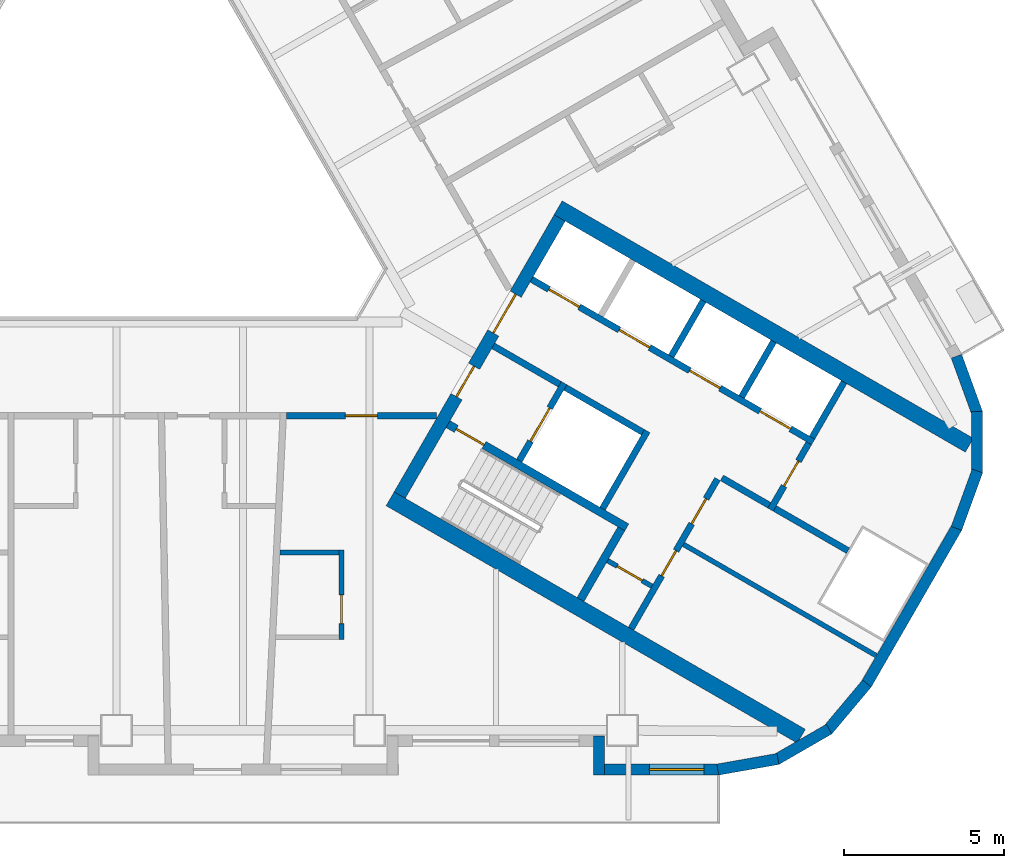
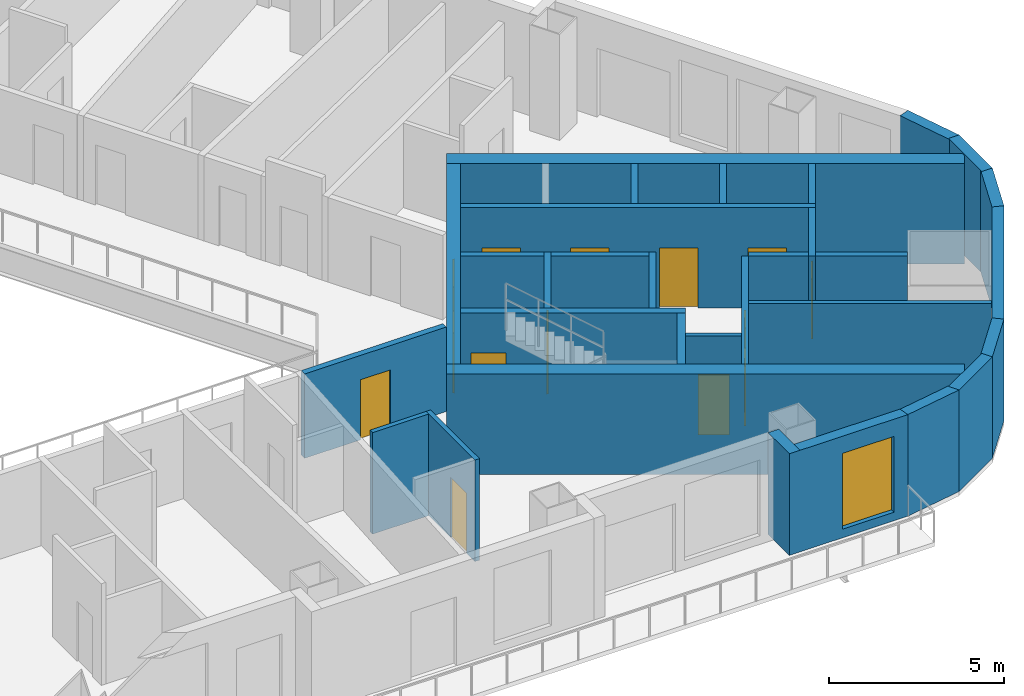
# One storey, part 5 of 14: 31 walls, 14 doors, 1 window, 15 openings.
"""IFC4 building model written with IfcOpenShell, lengths in metres."""

import ifcopenshell
import ifcopenshell.guid

model = None  # the IFC model being written
_history = None  # IfcOwnerHistory: only IFC2X3 demands one
_inside = {}  # id of a spatial element -> (the spatial element, [elements in it])
_under = {}  # id of a project, library or spatial element -> (it, [spatial elements below it])
_declared = {}  # id of a project -> (the project, [libraries it declares])
_typed = {}  # id of a type object -> (the type object, [elements of that type])
_made_of = {}  # id of a material, layer set ... -> (it, [elements and type objects made of it])


def new_model(schema):
    """Start an empty IFC model of exactly this schema.

    Asked for "IFC4X3", IfcOpenShell would pick the latest addendum, in which some entities
    have other attributes; the version numbers below select the first issue.
    IFC2X3 requires an IfcOwnerHistory on every rooted entity: one is made here for all.
    """
    global model, _history
    if schema == "IFC4X3":
        model = ifcopenshell.file(schema_version=(4, 3, 0, 0))
    else:
        model = ifcopenshell.file(schema=schema)
    _inside.clear()
    _under.clear()
    _declared.clear()
    _typed.clear()
    _made_of.clear()
    _history = None
    if model.schema == "IFC2X3":
        org = make("IfcOrganization", Name="unknown")
        user = make(
            "IfcPersonAndOrganization",
            ThePerson=make("IfcPerson", FamilyName="unknown"),
            TheOrganization=org,
        )
        app = make(
            "IfcApplication",
            ApplicationDeveloper=org,
            Version="unknown",
            ApplicationFullName="unknown",
            ApplicationIdentifier="unknown",
        )
        _history = make(
            "IfcOwnerHistory",
            OwningUser=user,
            OwningApplication=app,
            ChangeAction="ADDED",
            CreationDate=0,
        )
    return model


def make(cls, **values):
    """One entity of the class cls with the attributes given. An attribute that is None is left unset."""
    return model.create_entity(
        cls, **{name: value for name, value in values.items() if value is not None}
    )


def rooted(cls, **values):
    """An entity with a GlobalId (a new one), such as an element, a storey or a relation."""
    return make(cls, GlobalId=ifcopenshell.guid.new(), OwnerHistory=_history, **values)


def si_unit(unit_type, name, prefix=None):
    """IfcSIUnit, for example si_unit("LENGTHUNIT", "METRE", prefix="MILLI")."""
    return make("IfcSIUnit", UnitType=unit_type, Prefix=prefix, Name=name)


def assignment(units):
    """IfcUnitAssignment: the units of a project."""
    return None if units is None else make("IfcUnitAssignment", Units=units)


def point(xyz):
    """IfcCartesianPoint."""
    return None if xyz is None else make("IfcCartesianPoint", Coordinates=xyz)


def direction(xyz):
    """IfcDirection."""
    return None if xyz is None else make("IfcDirection", DirectionRatios=xyz)


def frame(location, z_axis=None, x_axis=None):
    """IfcAxis2Placement3D, a coordinate frame: its origin and axes. An axis left out is left unset."""
    return make(
        "IfcAxis2Placement3D",
        Location=point(location),
        Axis=direction(z_axis),
        RefDirection=direction(x_axis),
    )


def frame_2d(location, x_axis=None):
    """IfcAxis2Placement2D, a coordinate frame in the plane: its origin and x axis."""
    return make(
        "IfcAxis2Placement2D", Location=point(location), RefDirection=direction(x_axis)
    )


def origin():
    """The frame at (0, 0, 0) with its axes left unset."""
    return frame((0.0, 0.0, 0.0))


def place(relative_to, where):
    """IfcLocalPlacement: puts the frame where relative to a parent placement (None: the world)."""
    return make(
        "IfcLocalPlacement", PlacementRelTo=relative_to, RelativePlacement=where
    )


def context(
    kind, dimensions, precision=None, world=None, true_north=None, identifier=None
):
    """IfcGeometricRepresentationContext, for example the 3D "Model" context."""
    return make(
        "IfcGeometricRepresentationContext",
        ContextIdentifier=identifier,
        ContextType=kind,
        CoordinateSpaceDimension=dimensions,
        Precision=precision,
        WorldCoordinateSystem=world,
        TrueNorth=true_north,
    )


def subcontext(parent, identifier, kind, view, scale=None):
    """IfcGeometricRepresentationSubContext, for example "Body" below "Model"."""
    return make(
        "IfcGeometricRepresentationSubContext",
        ContextIdentifier=identifier,
        ContextType=kind,
        ParentContext=parent,
        TargetScale=scale,
        TargetView=view,
    )


def project(units=None, contexts=None):
    """IfcProject with its units and contexts."""
    return rooted(
        "IfcProject",
        Name="project",
        RepresentationContexts=contexts,
        UnitsInContext=assignment(units),
    )


def spatial(cls, under=None, at=None, **own):
    """A site, building, storey or space (cls), placed at a placement, below another one or the project."""
    s = rooted(cls, ObjectPlacement=at, **own)
    if under is not None:
        _under.setdefault(under.id(), (under, []))[1].append(s)
    return s


def profile(cls, at=None, kind="AREA", **sizes):
    """A parametric profile (cls). Its sizes go by their IFC names, for example OverallWidth=200.0."""
    return make(cls, ProfileType=kind, Position=at, **sizes)


def rectangle(**sizes):
    """IfcRectangleProfileDef."""
    return profile("IfcRectangleProfileDef", **sizes)


def extrude(swept, where, along, depth):
    """IfcExtrudedAreaSolid: the profile swept, set in the frame where, extruded along a direction by depth."""
    return make(
        "IfcExtrudedAreaSolid",
        SweptArea=swept,
        Position=where,
        ExtrudedDirection=direction(along),
        Depth=depth,
    )


def shape(context_of_items, identifier, shape_type, items):
    """IfcShapeRepresentation: the items that make up one representation, for example the "Body"."""
    return make(
        "IfcShapeRepresentation",
        ContextOfItems=context_of_items,
        RepresentationIdentifier=identifier,
        RepresentationType=shape_type,
        Items=items,
    )


def material(Name=None, Category=None):
    """IfcMaterial."""
    return make("IfcMaterial", Name=Name, Category=Category)


def layer(
    of_material, thickness, ventilated=None, Name=None, Category=None, Priority=None
):
    """IfcMaterialLayer: one layer of a wall or slab, of a material (None: an air gap)."""
    return make(
        "IfcMaterialLayer",
        Material=of_material,
        LayerThickness=thickness,
        IsVentilated=ventilated,
        Name=Name,
        Category=Category,
        Priority=Priority,
    )


def layer_set(layers, Name=None):
    """IfcMaterialLayerSet."""
    return make("IfcMaterialLayerSet", MaterialLayers=layers, LayerSetName=Name)


def made_of(thing, what):
    """Note that an element or type object is made of a material, layer set ...; save() writes the relation."""
    if what is not None:
        _made_of.setdefault(what.id(), (what, []))[1].append(thing)
    return thing


def type_object(cls, material=None, **own):
    """A type object (cls), such as IfcWallType, which elements share."""
    return made_of(rooted(cls, **own), material)


def element(
    cls,
    number,
    at=None,
    inside=None,
    cuts=None,
    type_object=None,
    material=None,
    context=None,
    identifier="Body",
    shape_type=None,
    held_by="IfcProductDefinitionShape",
    body=None,
    shapes=None,
    **own,
):
    """One element of the class cls, such as IfcWall. Its Tag is "e" and its number.

    at: its placement. inside: the storey or other place that contains it. cuts: it is an
    opening in that element (IfcRelVoidsElement). A single representation is given by context,
    identifier, shape_type and body (its items); several are given by shapes. held_by: the class
    of the entity that holds the representations. save() writes the other relations.
    """
    e = rooted(cls, Tag="e%d" % number, ObjectPlacement=at, **own)
    if body is not None:
        shapes = [shape(context, identifier, shape_type, body)]
    if shapes is not None:
        e.Representation = make(held_by, Representations=shapes)
    if inside is not None:
        _inside.setdefault(inside.id(), (inside, []))[1].append(e)
    if cuts is not None:
        rooted(
            "IfcRelVoidsElement", RelatingBuildingElement=cuts, RelatedOpeningElement=e
        )
    if type_object is not None:
        _typed.setdefault(type_object.id(), (type_object, []))[1].append(e)
    return made_of(e, material)


def fill(opening, filler):
    """IfcRelFillsElement: the door or window that sits in an opening."""
    return rooted(
        "IfcRelFillsElement",
        RelatingOpeningElement=opening,
        RelatedBuildingElement=filler,
    )


def aggregate(whole, parts):
    """IfcRelAggregates: a whole, such as a stair, and the parts it consists of."""
    return rooted("IfcRelAggregates", RelatingObject=whole, RelatedObjects=parts)


def save(model, path):
    """Write the relations noted so far, then the file.

    IfcRelAggregates (storeys below a building ...), IfcRelContainedInSpatialStructure (elements
    in a storey), IfcRelDefinesByType, IfcRelAssociatesMaterial and IfcRelDeclares: one each for
    every whole, place, type object, material and project.
    """
    for whole, parts in _under.values():
        aggregate(whole, parts)
    for where, things in _inside.values():
        rooted(
            "IfcRelContainedInSpatialStructure",
            RelatedElements=things,
            RelatingStructure=where,
        )
    for kind, things in _typed.values():
        rooted("IfcRelDefinesByType", RelatedObjects=things, RelatingType=kind)
    for what, things in _made_of.values():
        rooted("IfcRelAssociatesMaterial", RelatedObjects=things, RelatingMaterial=what)
    for by, libraries in _declared.values():
        rooted("IfcRelDeclares", RelatingContext=by, RelatedDefinitions=libraries)
    model.write(path)


model = new_model("IFC4")

# Units and contexts
model_context = context("Model", 3, precision=1e-05, world=origin(), true_north=direction((0.0, 1.0)))
body_context = subcontext(model_context, "Body", "Model", "MODEL_VIEW")
ifc_project = project(units=[si_unit("LENGTHUNIT", "METRE"), si_unit("AREAUNIT", "SQUARE_METRE"), si_unit("VOLUMEUNIT", "CUBIC_METRE"), si_unit("PLANEANGLEUNIT", "RADIAN"), si_unit("MASSUNIT", "GRAM", prefix="KILO")], contexts=[model_context])

# Site, building, storey
site_placement = place(None, origin())
site = spatial("IfcSite", under=ifc_project, at=site_placement, CompositionType="ELEMENT")
building_placement = place(site_placement, origin())
building = spatial("IfcBuilding", under=site, at=building_placement, Name="Apuvela Tower Hotel", CompositionType="ELEMENT")
storey_placement = place(building_placement, frame((0.0, 0.0, 50.199951171875)))
storey = spatial("IfcBuildingStorey", under=building, at=storey_placement, Name="L09", CompositionType="ELEMENT", Elevation=50.199951171875)

# Wall, openings, doors
ifc_material_1 = material(Name="Concrete C50/60", Category="concrete")
ifc_layer_1 = layer(ifc_material_1, 0.39990234375)
ifc_layer_set_1 = layer_set([ifc_layer_1], Name="COR-WALL-CORE-400")
wall_type_1 = type_object("IfcWallType", Name="COR-WALL-CORE-400", PredefinedType="SHEAR", material=ifc_layer_set_1)
wall_1_placement = place(storey_placement, frame((8.844970703125, -10.880126953125, 0.0), z_axis=(0.0, 0.0, 1.0), x_axis=(0.500004234368, 0.866022959057, 0.0)))
wall_1 = element("IfcWall", 1, at=wall_1_placement, inside=storey, type_object=wall_type_1, Name="Core wall SE", PredefinedType="SHEAR", context=body_context, shape_type="SweptSolid", body=[
    extrude(rectangle(XDim=10.0, YDim=0.39990234375, at=frame_2d((5.0, 0.0))), origin(), (0.0, 0.0, 1.0), 3.5),
])
opening_1_placement = place(wall_1_placement, frame((3.550048828125, 0.0, 0.0)))
opening_1 = element("IfcOpeningElement", 2, at=opening_1_placement, cuts=wall_1, Name="Opening E-FD", PredefinedType="OPENING", context=body_context, shape_type="SweptSolid", body=[
    extrude(rectangle(XDim=1.10009765625, YDim=2.10009765625, at=frame_2d((0.550048828125, 1.050048828125))), frame((0.0, 0.2099609375, 0.0), z_axis=(0.0, -1.0, 0.0), x_axis=(1.0, 0.0, 0.0)), (0.0, 0.0, 1.0), 0.419921875),
])
opening_2_placement = place(wall_1_placement, frame((5.85009765625, 0.0, 0.0)))
opening_2 = element("IfcOpeningElement", 3, at=opening_2_placement, cuts=wall_1, Name="Opening E-GD", PredefinedType="OPENING", context=body_context, shape_type="SweptSolid", body=[
    extrude(rectangle(XDim=1.39990234375, YDim=2.10009765625, at=frame_2d((0.699951171875, 1.050048828125))), frame((0.0, 0.2099609375, 0.0), z_axis=(0.0, -1.0, 0.0), x_axis=(1.0, 0.0, 0.0)), (0.0, 0.0, 1.0), 0.419921875),
])
ifc_material_2 = material(Name="Steel fire door, powder coated", Category="steel")
door_type_1 = type_object("IfcDoorType", Name="COR-FD-1100", OperationType="NOTDEFINED", PredefinedType="DOOR", material=ifc_material_2)
door_1_placement = place(opening_1_placement, frame((1.10009765625, 0.0, 0.0), z_axis=(0.0, 0.0, 1.0), x_axis=(-1.0, 0.0, 0.0)))
door_1 = element("IfcDoor", 4, at=door_1_placement, inside=storey, type_object=door_type_1, Name="Firefighting lobby door E-FD", OperationType="SINGLE_SWING_LEFT", OverallHeight=2.10009765625, OverallWidth=1.10009765625, PredefinedType="DOOR", context=body_context, shape_type="SweptSolid", body=[
    extrude(rectangle(XDim=1.10009765625, YDim=2.10009765625, at=frame_2d((0.550048828125, 1.050048828125))), frame((0.0, 0.02490234375, 0.0), z_axis=(0.0, -1.0, 0.0), x_axis=(1.0, 0.0, 0.0)), (0.0, 0.0, 1.0), 0.050048828125),
])
fill(opening_1, door_1)
ifc_material_3 = material(Name="Glazed steel fire door", Category="steel")
door_type_2 = type_object("IfcDoorType", Name="COR-GD-1400", OperationType="DOUBLE_DOOR_SINGLE_SWING", PredefinedType="DOOR", material=ifc_material_3)
door_2_placement = place(opening_2_placement, frame((1.39990234375, 0.0, 0.0), z_axis=(0.0, 0.0, 1.0), x_axis=(-1.0, 0.0, 0.0)))
door_2 = element("IfcDoor", 5, at=door_2_placement, inside=storey, type_object=door_type_2, Name="Lift lobby door E-GD", OperationType="DOUBLE_DOOR_SINGLE_SWING", OverallHeight=2.10009765625, OverallWidth=1.39990234375, PredefinedType="DOOR", context=body_context, shape_type="SweptSolid", body=[
    extrude(rectangle(XDim=1.39990234375, YDim=2.10009765625, at=frame_2d((0.699951171875, 1.050048828125))), frame((0.0, 0.02490234375, 0.0), z_axis=(0.0, -1.0, 0.0), x_axis=(1.0, 0.0, 0.0)), (0.0, 0.0, 1.0), 0.050048828125),
])
fill(opening_2, door_2)

# Walls
ifc_layer_2 = layer(ifc_material_1, 0.5)
ifc_layer_set_2 = layer_set([ifc_layer_2], Name="COR-WALL-CORE-500")
wall_type_2 = type_object("IfcWallType", Name="COR-WALL-CORE-500", PredefinedType="SHEAR", material=ifc_layer_set_2)
for number, where, z_axis, x_axis, name in (
    (6, (8.546630859375, -10.99658203125, 0.0), (0.0, 0.0, 1.0), (0.866025009528, -0.500000682871, 0.0), "Core wall SE"),
    (7, (13.796630859375, -1.9033203125, 0.0), (0.0, 0.0, 1.0), (0.866025009528, -0.500000682871, 0.0), "Core wall SE"),
):
    element("IfcWall", number, at=place(storey_placement, frame(where, z_axis=z_axis, x_axis=x_axis)), inside=storey, type_object=wall_type_2, Name=name, PredefinedType="SHEAR", context=body_context, shape_type="SweptSolid", body=[
        extrude(rectangle(XDim=14.8369140625, YDim=0.5, at=frame_2d((7.41845703125, 0.0))), origin(), (0.0, 0.0, 1.0), 3.5),
    ])

# Wall, opening, door
ifc_material_4 = material(Name="Blockwork 150 mm plastered", Category="masonry")
ifc_layer_3 = layer(ifc_material_4, 0.14990234375)
ifc_layer_set_3 = layer_set([ifc_layer_3], Name="COR-WALL-PART-150")
wall_type_3 = type_object("IfcWallType", Name="COR-WALL-PART-150", PredefinedType="PARTITIONING", material=ifc_layer_set_3)
wall_2_placement = place(storey_placement, frame((15.341552734375, -12.927734375, 0.0), z_axis=(0.0, 0.0, 1.0), x_axis=(0.865989903783, -0.500061482766, 0.0)))
wall_2 = element("IfcWall", 8, at=wall_2_placement, inside=storey, type_object=wall_type_3, Name="Partition SE", PredefinedType="PARTITIONING", context=body_context, shape_type="SweptSolid", body=[
    extrude(rectangle(XDim=1.599853515625, YDim=0.14990234375, at=frame_2d((0.7998046875, 0.0))), origin(), (0.0, 0.0, 1.0), 3.5),
])
opening_3_placement = place(wall_2_placement, frame((0.35009765625, 0.0, 0.0)))
opening_3 = element("IfcOpeningElement", 9, at=opening_3_placement, cuts=wall_2, Name="Opening E-RD", PredefinedType="OPENING", context=body_context, shape_type="SweptSolid", body=[
    extrude(rectangle(XDim=0.89990234375, YDim=2.10009765625, at=frame_2d((0.449951171875, 1.050048828125))), frame((0.0, 0.0849609375, 0.0), z_axis=(0.0, -1.0, 0.0), x_axis=(1.0, 0.0, 0.0)), (0.0, 0.0, 1.0), 0.169921875),
])
ifc_material_5 = material(Name="Steel access door, powder coated", Category="steel")
door_type_3 = type_object("IfcDoorType", Name="COR-RD-900", OperationType="NOTDEFINED", PredefinedType="DOOR", material=ifc_material_5)
door_3_placement = place(opening_3_placement, frame((0.89990234375, 0.0, 0.0), z_axis=(0.0, 0.0, 1.0), x_axis=(-1.0, 0.0, 0.0)))
door_3 = element("IfcDoor", 10, at=door_3_placement, inside=storey, type_object=door_type_3, Name="Riser door E-RD", OperationType="SINGLE_SWING_LEFT", OverallHeight=2.10009765625, OverallWidth=0.89990234375, PredefinedType="DOOR", context=body_context, shape_type="SweptSolid", body=[
    extrude(rectangle(XDim=0.89990234375, YDim=2.10009765625, at=frame_2d((0.449951171875, 1.050048828125))), frame((0.0, 0.02490234375, 0.0), z_axis=(0.0, -1.0, 0.0), x_axis=(1.0, 0.0, 0.0)), (0.0, 0.0, 1.0), 0.050048828125),
])
fill(opening_3, door_3)

# Wall
wall_3_placement = place(storey_placement, frame((17.712890625, -12.42041015625, 0.0), z_axis=(0.0, 0.0, 1.0), x_axis=(0.866016523273, -0.500015381182, 0.0)))
element("IfcWall", 11, at=wall_3_placement, inside=storey, type_object=wall_type_3, Name="Partition SE", PredefinedType="PARTITIONING", context=body_context, shape_type="SweptSolid", body=[
    extrude(rectangle(XDim=6.949951171875, YDim=0.14990234375, at=frame_2d((3.47509765625, 0.0))), origin(), (0.0, 0.0, 1.0), 3.5),
])

# Wall, openings, doors
ifc_material_6 = material(Name="Blockwork 200 mm plastered", Category="masonry")
ifc_layer_4 = layer(ifc_material_6, 0.199951171875)
ifc_layer_set_4 = layer_set([ifc_layer_4], Name="COR-WALL-PART-200")
wall_type_4 = type_object("IfcWallType", Name="COR-WALL-PART-200", PredefinedType="PARTITIONING", material=ifc_layer_set_4)
wall_4_placement = place(storey_placement, frame((16.076171875, -15.05517578125, 0.0), z_axis=(0.0, 0.0, 1.0), x_axis=(0.499995103361, 0.866028230842, 0.0)))
wall_4 = element("IfcWall", 12, at=wall_4_placement, inside=storey, type_object=wall_type_4, Name="Partition SE", PredefinedType="PARTITIONING", context=body_context, shape_type="SweptSolid", body=[
    extrude(rectangle(XDim=5.39990234375, YDim=0.199951171875, at=frame_2d((2.699951171875, 0.0))), origin(), (0.0, 0.0, 1.0), 3.5),
])
opening_4_placement = place(wall_4_placement, frame((1.91259765625, 0.0, 0.0)))
opening_4 = element("IfcOpeningElement", 13, at=opening_4_placement, cuts=wall_4, Name="Opening E-RS1", PredefinedType="OPENING", context=body_context, shape_type="SweptSolid", body=[
    extrude(rectangle(XDim=0.89990234375, YDim=2.10009765625, at=frame_2d((0.449951171875, 1.050048828125))), frame((0.0, 0.10986328125, 0.0), z_axis=(0.0, -1.0, 0.0), x_axis=(1.0, 0.0, 0.0)), (0.0, 0.0, 1.0), 0.219970703125),
])
opening_5_placement = place(wall_4_placement, frame((3.78759765625, 0.0, 0.0)))
opening_5 = element("IfcOpeningElement", 14, at=opening_5_placement, cuts=wall_4, Name="Opening E-RS2", PredefinedType="OPENING", context=body_context, shape_type="SweptSolid", body=[
    extrude(rectangle(XDim=0.89990234375, YDim=2.10009765625, at=frame_2d((0.449951171875, 1.050048828125))), frame((0.0, 0.10986328125, 0.0), z_axis=(0.0, -1.0, 0.0), x_axis=(1.0, 0.0, 0.0)), (0.0, 0.0, 1.0), 0.219970703125),
])
door_type_4 = type_object("IfcDoorType", Name="COR-DR-900", OperationType="NOTDEFINED", PredefinedType="DOOR", material=ifc_material_2)
door_4_placement = place(opening_4_placement, frame((0.89990234375, 0.0, 0.0), z_axis=(0.0, 0.0, 1.0), x_axis=(-1.0, 0.0, 0.0)))
door_4 = element("IfcDoor", 15, at=door_4_placement, inside=storey, type_object=door_type_4, Name="Store door E-RS1", OperationType="SINGLE_SWING_LEFT", OverallHeight=2.10009765625, OverallWidth=0.89990234375, PredefinedType="DOOR", context=body_context, shape_type="SweptSolid", body=[
    extrude(rectangle(XDim=0.89990234375, YDim=2.10009765625, at=frame_2d((0.449951171875, 1.050048828125))), frame((0.0, 0.02490234375, 0.0), z_axis=(0.0, -1.0, 0.0), x_axis=(1.0, 0.0, 0.0)), (0.0, 0.0, 1.0), 0.050048828125),
])
fill(opening_4, door_4)
door_5_placement = place(opening_5_placement, frame((0.89990234375, 0.0, 0.0), z_axis=(0.0, 0.0, 1.0), x_axis=(-1.0, 0.0, 0.0)))
door_5 = element("IfcDoor", 16, at=door_5_placement, inside=storey, type_object=door_type_4, Name="Store door E-RS2", OperationType="SINGLE_SWING_LEFT", OverallHeight=2.10009765625, OverallWidth=0.89990234375, PredefinedType="DOOR", context=body_context, shape_type="SweptSolid", body=[
    extrude(rectangle(XDim=0.89990234375, YDim=2.10009765625, at=frame_2d((0.449951171875, 1.050048828125))), frame((0.0, 0.02490234375, 0.0), z_axis=(0.0, -1.0, 0.0), x_axis=(1.0, 0.0, 0.0)), (0.0, 0.0, 1.0), 0.050048828125),
])
fill(opening_5, door_5)

# Wall
ifc_layer_5 = layer(ifc_material_1, 0.199951171875)
ifc_layer_set_5 = layer_set([ifc_layer_5], Name="COR-WALL-SHAFT-200")
wall_type_5 = type_object("IfcWallType", Name="COR-WALL-SHAFT-200", PredefinedType="SHEAR", material=ifc_layer_set_5)
wall_5_placement = place(storey_placement, frame((15.181396484375, -11.305419921875, 0.0), z_axis=(0.0, 0.0, 1.0), x_axis=(0.49994636267, 0.866056369097, 0.0)))
element("IfcWall", 17, at=wall_5_placement, inside=storey, type_object=wall_type_5, Name="Shaft wall SE", PredefinedType="SHEAR", context=body_context, shape_type="SweptSolid", body=[
    extrude(rectangle(XDim=2.800048828125, YDim=0.199951171875, at=frame_2d((1.39990234375, 0.0))), origin(), (0.0, 0.0, 1.0), 3.5),
])

# Wall, opening, door
wall_6_placement = place(storey_placement, frame((12.583251953125, -9.805419921875, 0.0), z_axis=(0.0, 0.0, 1.0), x_axis=(0.49994636267, 0.866056369097, 0.0)))
wall_6 = element("IfcWall", 18, at=wall_6_placement, inside=storey, type_object=wall_type_5, Name="Shaft wall SE", PredefinedType="SHEAR", context=body_context, shape_type="SweptSolid", body=[
    extrude(rectangle(XDim=2.800048828125, YDim=0.199951171875, at=frame_2d((1.39990234375, 0.0))), origin(), (0.0, 0.0, 1.0), 3.5),
])
opening_6_placement = place(wall_6_placement, frame((0.699951171875, 0.0, 0.0)))
opening_6 = element("IfcOpeningElement", 19, at=opening_6_placement, cuts=wall_6, Name="Opening E-LD-FS3", PredefinedType="OPENING", context=body_context, shape_type="SweptSolid", body=[
    extrude(rectangle(XDim=1.199951171875, YDim=2.10009765625, at=frame_2d((0.60009765625, 1.050048828125))), frame((0.0, 0.10986328125, 0.0), z_axis=(0.0, -1.0, 0.0), x_axis=(1.0, 0.0, 0.0)), (0.0, 0.0, 1.0), 0.219970703125),
])
ifc_material_7 = material(Name="Stainless steel lift landing door", Category="steel")
door_type_5 = type_object("IfcDoorType", Name="COR-LD-1200", OperationType="DOUBLE_DOOR_SLIDING", PredefinedType="DOOR", material=ifc_material_7)
door_6_placement = place(opening_6_placement, origin())
door_6 = element("IfcDoor", 20, at=door_6_placement, inside=storey, type_object=door_type_5, Name="Lift landing door E-LD-FS3", OperationType="DOUBLE_DOOR_SLIDING", OverallHeight=2.10009765625, OverallWidth=1.199951171875, PredefinedType="DOOR", context=body_context, shape_type="SweptSolid", body=[
    extrude(rectangle(XDim=1.199951171875, YDim=2.10009765625, at=frame_2d((0.60009765625, 1.050048828125))), frame((0.0, 0.02490234375, 0.0), z_axis=(0.0, -1.0, 0.0), x_axis=(1.0, 0.0, 0.0)), (0.0, 0.0, 1.0), 0.050048828125),
])
fill(opening_6, door_6)

# Walls
wall_7_placement = place(storey_placement, frame((11.76806640625, -6.217041015625, 0.0), z_axis=(0.0, 0.0, 1.0), x_axis=(0.866050077142, -0.499957262057, 0.0)))
element("IfcWall", 21, at=wall_7_placement, inside=storey, type_object=wall_type_5, Name="Shaft wall SE", PredefinedType="SHEAR", context=body_context, shape_type="SweptSolid", body=[
    extrude(rectangle(XDim=2.400146484375, YDim=0.199951171875, at=frame_2d((1.2001953125, 0.0))), origin(), (0.0, 0.0, 1.0), 3.5),
])
wall_8_placement = place(storey_placement, frame((14.019775390625, -7.51708984375, 0.0), z_axis=(0.0, 0.0, 1.0), x_axis=(0.866034573852, -0.49998411664, 0.0)))
element("IfcWall", 22, at=wall_8_placement, inside=storey, type_object=wall_type_5, Name="Shaft wall SE", PredefinedType="SHEAR", context=body_context, shape_type="SweptSolid", body=[
    extrude(rectangle(XDim=2.7998046875, YDim=0.199951171875, at=frame_2d((1.39990234375, 0.0))), origin(), (0.0, 0.0, 1.0), 3.5),
])

# Wall, openings, doors
wall_9_placement = place(storey_placement, frame((12.968017578125, -4.138427734375, 0.0), z_axis=(0.0, 0.0, 1.0), x_axis=(0.866028328073, -0.49999493495, 0.0)))
wall_9 = element("IfcWall", 23, at=wall_9_placement, inside=storey, type_object=wall_type_5, Name="Shaft wall SE", PredefinedType="SHEAR", context=body_context, shape_type="SweptSolid", body=[
    extrude(rectangle(XDim=10.16015625, YDim=0.199951171875, at=frame_2d((5.080078125, 0.0))), origin(), (0.0, 0.0, 1.0), 3.5),
])
opening_7_placement = place(wall_9_placement, frame((0.6201171875, 0.0, 0.0)))
opening_7 = element("IfcOpeningElement", 24, at=opening_7_placement, cuts=wall_9, Name="Opening E-LD-LR1", PredefinedType="OPENING", context=body_context, shape_type="SweptSolid", body=[
    extrude(rectangle(XDim=1.10009765625, YDim=2.10009765625, at=frame_2d((0.550048828125, 1.050048828125))), frame((0.0, 0.10986328125, 0.0), z_axis=(0.0, -1.0, 0.0), x_axis=(1.0, 0.0, 0.0)), (0.0, 0.0, 1.0), 0.219970703125),
])
opening_8_placement = place(wall_9_placement, frame((3.159912109375, 0.0, 0.0)))
opening_8 = element("IfcOpeningElement", 25, at=opening_8_placement, cuts=wall_9, Name="Opening E-LD-LR2", PredefinedType="OPENING", context=body_context, shape_type="SweptSolid", body=[
    extrude(rectangle(XDim=1.10009765625, YDim=2.10009765625, at=frame_2d((0.550048828125, 1.050048828125))), frame((0.0, 0.10986328125, 0.0), z_axis=(0.0, -1.0, 0.0), x_axis=(1.0, 0.0, 0.0)), (0.0, 0.0, 1.0), 0.219970703125),
])
opening_9_placement = place(wall_9_placement, frame((5.699951171875, 0.0, 0.0)))
opening_9 = element("IfcOpeningElement", 26, at=opening_9_placement, cuts=wall_9, Name="Opening E-LD-LR3", PredefinedType="OPENING", context=body_context, shape_type="SweptSolid", body=[
    extrude(rectangle(XDim=1.10009765625, YDim=2.10009765625, at=frame_2d((0.550048828125, 1.050048828125))), frame((0.0, 0.10986328125, 0.0), z_axis=(0.0, -1.0, 0.0), x_axis=(1.0, 0.0, 0.0)), (0.0, 0.0, 1.0), 0.219970703125),
])
opening_10_placement = place(wall_9_placement, frame((8.239990234375, 0.0, 0.0)))
opening_10 = element("IfcOpeningElement", 27, at=opening_10_placement, cuts=wall_9, Name="Opening E-LD-LR4", PredefinedType="OPENING", context=body_context, shape_type="SweptSolid", body=[
    extrude(rectangle(XDim=1.10009765625, YDim=2.10009765625, at=frame_2d((0.550048828125, 1.050048828125))), frame((0.0, 0.10986328125, 0.0), z_axis=(0.0, -1.0, 0.0), x_axis=(1.0, 0.0, 0.0)), (0.0, 0.0, 1.0), 0.219970703125),
])
door_type_6 = type_object("IfcDoorType", Name="COR-LD-1100", OperationType="DOUBLE_DOOR_SLIDING", PredefinedType="DOOR", material=ifc_material_7)
door_7_placement = place(opening_7_placement, origin())
door_7 = element("IfcDoor", 28, at=door_7_placement, inside=storey, type_object=door_type_6, Name="Lift landing door E-LD-LR1", OperationType="DOUBLE_DOOR_SLIDING", OverallHeight=2.10009765625, OverallWidth=1.10009765625, PredefinedType="DOOR", context=body_context, shape_type="SweptSolid", body=[
    extrude(rectangle(XDim=1.10009765625, YDim=2.10009765625, at=frame_2d((0.550048828125, 1.050048828125))), frame((0.0, 0.02490234375, 0.0), z_axis=(0.0, -1.0, 0.0), x_axis=(1.0, 0.0, 0.0)), (0.0, 0.0, 1.0), 0.050048828125),
])
fill(opening_7, door_7)
door_8_placement = place(opening_8_placement, origin())
door_8 = element("IfcDoor", 29, at=door_8_placement, inside=storey, type_object=door_type_6, Name="Lift landing door E-LD-LR2", OperationType="DOUBLE_DOOR_SLIDING", OverallHeight=2.10009765625, OverallWidth=1.10009765625, PredefinedType="DOOR", context=body_context, shape_type="SweptSolid", body=[
    extrude(rectangle(XDim=1.10009765625, YDim=2.10009765625, at=frame_2d((0.550048828125, 1.050048828125))), frame((0.0, 0.02490234375, 0.0), z_axis=(0.0, -1.0, 0.0), x_axis=(1.0, 0.0, 0.0)), (0.0, 0.0, 1.0), 0.050048828125),
])
fill(opening_8, door_8)
door_9_placement = place(opening_9_placement, origin())
door_9 = element("IfcDoor", 30, at=door_9_placement, inside=storey, type_object=door_type_6, Name="Lift landing door E-LD-LR3", OperationType="DOUBLE_DOOR_SLIDING", OverallHeight=2.10009765625, OverallWidth=1.10009765625, PredefinedType="DOOR", context=body_context, shape_type="SweptSolid", body=[
    extrude(rectangle(XDim=1.10009765625, YDim=2.10009765625, at=frame_2d((0.550048828125, 1.050048828125))), frame((0.0, 0.02490234375, 0.0), z_axis=(0.0, -1.0, 0.0), x_axis=(1.0, 0.0, 0.0)), (0.0, 0.0, 1.0), 0.050048828125),
])
fill(opening_9, door_9)
door_10_placement = place(opening_10_placement, origin())
door_10 = element("IfcDoor", 31, at=door_10_placement, inside=storey, type_object=door_type_6, Name="Lift landing door E-LD-LR4", OperationType="DOUBLE_DOOR_SLIDING", OverallHeight=2.10009765625, OverallWidth=1.10009765625, PredefinedType="DOOR", context=body_context, shape_type="SweptSolid", body=[
    extrude(rectangle(XDim=1.10009765625, YDim=2.10009765625, at=frame_2d((0.550048828125, 1.050048828125))), frame((0.0, 0.02490234375, 0.0), z_axis=(0.0, -1.0, 0.0), x_axis=(1.0, 0.0, 0.0)), (0.0, 0.0, 1.0), 0.050048828125),
])
fill(opening_10, door_10)

# Wall, opening, door
wall_10_placement = place(storey_placement, frame((20.430419921875, -11.33349609375, 0.0), z_axis=(0.0, 0.0, 1.0), x_axis=(0.500001309137, 0.866024647952, 0.0)))
wall_10 = element("IfcWall", 32, at=wall_10_placement, inside=storey, type_object=wall_type_5, Name="Shaft wall SE", PredefinedType="SHEAR", context=body_context, shape_type="SweptSolid", body=[
    extrude(rectangle(XDim=2.39990234375, YDim=0.199951171875, at=frame_2d((1.199951171875, 0.0))), origin(), (0.0, 0.0, 1.0), 3.5),
])
opening_11_placement = place(wall_10_placement, frame((0.85009765625, 0.0, 0.0)))
opening_11 = element("IfcOpeningElement", 33, at=opening_11_placement, cuts=wall_10, Name="Opening E-REP", PredefinedType="OPENING", context=body_context, shape_type="SweptSolid", body=[
    extrude(rectangle(XDim=0.89990234375, YDim=2.10009765625, at=frame_2d((0.449951171875, 1.050048828125))), frame((0.0, 0.10986328125, 0.0), z_axis=(0.0, -1.0, 0.0), x_axis=(1.0, 0.0, 0.0)), (0.0, 0.0, 1.0), 0.219970703125),
])
door_11_placement = place(opening_11_placement, frame((0.89990234375, 0.0, 0.0), z_axis=(0.0, 0.0, 1.0), x_axis=(-1.0, 0.0, 0.0)))
door_11 = element("IfcDoor", 34, at=door_11_placement, inside=storey, type_object=door_type_4, Name="Store door E-REP", OperationType="SINGLE_SWING_RIGHT", OverallHeight=2.10009765625, OverallWidth=0.89990234375, PredefinedType="DOOR", context=body_context, shape_type="SweptSolid", body=[
    extrude(rectangle(XDim=0.89990234375, YDim=2.10009765625, at=frame_2d((0.449951171875, 1.050048828125))), frame((0.0, 0.02490234375, 0.0), z_axis=(0.0, -1.0, 0.0), x_axis=(1.0, 0.0, 0.0)), (0.0, 0.0, 1.0), 0.050048828125),
])
fill(opening_11, door_11)

# Walls
wall_11_placement = place(storey_placement, frame((18.912841796875, -10.342041015625, 0.0), z_axis=(0.0, 0.0, 1.0), x_axis=(0.866038183914, -0.499977863513, 0.0)))
element("IfcWall", 35, at=wall_11_placement, inside=storey, type_object=wall_type_5, Name="Shaft wall SE", PredefinedType="SHEAR", context=body_context, shape_type="SweptSolid", body=[
    extrude(rectangle(XDim=1.7099609375, YDim=0.199951171875, at=frame_2d((0.85498046875, 0.0))), origin(), (0.0, 0.0, 1.0), 3.5),
])
for number, where, z_axis, x_axis, name in (
    (36, (17.330810546875, -6.5419921875, 0.0), (0.0, 0.0, 1.0), (0.499972520799, 0.866041268327, 0.0), "Shaft wall SE"),
    (37, (19.530517578125, -7.81201171875, 0.0), (0.0, 0.0, 1.0), (0.499972520799, 0.866041268327, 0.0), "Shaft wall SE"),
    (38, (21.73046875, -9.081787109375, 0.0), (0.0, 0.0, 1.0), (0.50002537861, 0.866010750942, 0.0), "Shaft wall SE"),
):
    element("IfcWall", number, at=place(storey_placement, frame(where, z_axis=z_axis, x_axis=x_axis)), inside=storey, type_object=wall_type_5, Name=name, PredefinedType="SHEAR", context=body_context, shape_type="SweptSolid", body=[
        extrude(rectangle(XDim=2.0, YDim=0.199951171875, at=frame_2d((1.0, 0.0))), origin(), (0.0, 0.0, 1.0), 3.5),
    ])
wall_12_placement = place(storey_placement, frame((20.56689453125, -11.297119140625, 0.0), z_axis=(0.0, 0.0, 1.0), x_axis=(0.866060851709, -0.499938597367, 0.0)))
element("IfcWall", 39, at=wall_12_placement, inside=storey, type_object=wall_type_5, Name="Shaft wall SE", PredefinedType="SHEAR", context=body_context, shape_type="SweptSolid", body=[
    extrude(rectangle(XDim=2.639892578125, YDim=0.199951171875, at=frame_2d((1.31982421875, 0.0))), origin(), (0.0, 0.0, 1.0), 3.5),
])

# Wall, opening, door
ifc_layer_6 = layer(ifc_material_1, 0.25)
ifc_layer_set_6 = layer_set([ifc_layer_6], Name="COR-WALL-STAIR-250")
wall_type_6 = type_object("IfcWallType", Name="COR-WALL-STAIR-250", PredefinedType="SHEAR", material=ifc_layer_set_6)
wall_13_placement = place(storey_placement, frame((10.355712890625, -8.66357421875, 0.0), z_axis=(0.0, 0.0, 1.0), x_axis=(0.866028629588, -0.499994412703, 0.0)))
wall_13 = element("IfcWall", 40, at=wall_13_placement, inside=storey, type_object=wall_type_6, Name="Stair wall SE", PredefinedType="SHEAR", context=body_context, shape_type="SweptSolid", body=[
    extrude(rectangle(XDim=6.44970703125, YDim=0.25, at=frame_2d((3.224853515625, 0.0))), origin(), (0.0, 0.0, 1.0), 3.5),
])
opening_12_placement = place(wall_13_placement, frame((0.300048828125, 0.0, 0.0)))
opening_12 = element("IfcOpeningElement", 41, at=opening_12_placement, cuts=wall_13, Name="Opening E-SD", PredefinedType="OPENING", context=body_context, shape_type="SweptSolid", body=[
    extrude(rectangle(XDim=1.0, YDim=2.10009765625, at=frame_2d((0.5, 1.050048828125))), frame((0.0, 0.135009765625, 0.0), z_axis=(0.0, -1.0, 0.0), x_axis=(1.0, 0.0, 0.0)), (0.0, 0.0, 1.0), 0.27001953125),
])
door_type_7 = type_object("IfcDoorType", Name="COR-SD-1000", OperationType="NOTDEFINED", PredefinedType="DOOR", material=ifc_material_2)
door_12_placement = place(opening_12_placement, frame((1.0, 0.0, 0.0), z_axis=(0.0, 0.0, 1.0), x_axis=(-1.0, 0.0, 0.0)))
door_12 = element("IfcDoor", 42, at=door_12_placement, inside=storey, type_object=door_type_7, Name="Stair door E-SD", OperationType="SINGLE_SWING_LEFT", OverallHeight=2.10009765625, OverallWidth=1.0, PredefinedType="DOOR", context=body_context, shape_type="SweptSolid", body=[
    extrude(rectangle(XDim=1.0, YDim=2.10009765625, at=frame_2d((0.5, 1.050048828125))), frame((0.0, 0.02490234375, 0.0), z_axis=(0.0, -1.0, 0.0), x_axis=(1.0, 0.0, 0.0)), (0.0, 0.0, 1.0), 0.050048828125),
])
fill(opening_12, door_12)

# Walls
wall_14_placement = place(storey_placement, frame((14.49560546875, -14.142578125, 0.0), z_axis=(0.0, 0.0, 1.0), x_axis=(0.500062241894, 0.865989465428, 0.0)))
element("IfcWall", 43, at=wall_14_placement, inside=storey, type_object=wall_type_6, Name="Stair wall SE", PredefinedType="SHEAR", context=body_context, shape_type="SweptSolid", body=[
    extrude(rectangle(XDim=2.550048828125, YDim=0.25, at=frame_2d((1.27490234375, 0.0))), origin(), (0.0, 0.0, 1.0), 3.5),
])
ifc_material_8 = material(Name="Concrete C40/50, dark pigmented precast panel", Category="concrete")
ifc_layer_7 = layer(ifc_material_8, 0.35009765625)
ifc_layer_set_7 = layer_set([ifc_layer_7], Name="ENV-WALL-350")
wall_type_7 = type_object("IfcWallType", Name="ENV-WALL-350", PredefinedType="SOLIDWALL", material=ifc_layer_set_7)
wall_15_placement = place(storey_placement, frame((15.074951171875, -18.409912109375, 0.0), z_axis=(0.0, 0.0, 1.0), x_axis=(0.0, -1.0, 0.0)))
element("IfcWall", 44, at=wall_15_placement, inside=storey, type_object=wall_type_7, Name="External wall L09-24", PredefinedType="SOLIDWALL", context=body_context, shape_type="SweptSolid", body=[
    extrude(rectangle(XDim=1.219970703125, YDim=0.35009765625, at=frame_2d((0.60986328125, 0.0))), origin(), (0.0, 0.0, 1.0), 3.550048828125),
])

# Wall, opening, window
wall_16_placement = place(storey_placement, frame((14.89990234375, -19.455078125, 0.0), z_axis=(0.0, 0.0, 1.0), x_axis=(1.0, 0.0, 0.0)))
wall_16 = element("IfcWall", 45, at=wall_16_placement, inside=storey, type_object=wall_type_7, Name="External wall L09-25", PredefinedType="SOLIDWALL", context=body_context, shape_type="SweptSolid", body=[
    extrude(rectangle(XDim=3.916015625, YDim=0.35009765625, at=frame_2d((1.9580078125, 0.0))), origin(), (0.0, 0.0, 1.0), 3.550048828125),
])
opening_13_placement = place(wall_16_placement, frame((1.749755859375, 0.0, 0.300048828125)))
opening_13 = element("IfcOpeningElement", 46, at=opening_13_placement, cuts=wall_16, Name="Opening WN17", PredefinedType="OPENING", context=body_context, shape_type="SweptSolid", body=[
    extrude(rectangle(XDim=1.699951171875, YDim=2.64990234375, at=frame_2d((0.85009765625, 1.324951171875))), frame((0.0, 0.18505859375, 0.0), z_axis=(0.0, -1.0, 0.0), x_axis=(1.0, 0.0, 0.0)), (0.0, 0.0, 1.0), 0.3701171875),
])
ifc_material_9 = material(Name="Glass, dark tinted laminated insulated glazing unit", Category="glass")
window_type = type_object("IfcWindowType", Name="ENV-WIN-1700x2650", PartitioningType="SINGLE_PANEL", PredefinedType="WINDOW", material=ifc_material_9)
window_placement = place(opening_13_placement, origin())
window = element("IfcWindow", 47, at=window_placement, inside=storey, type_object=window_type, Name="Window WN17", OverallHeight=2.64990234375, OverallWidth=1.699951171875, PartitioningType="SINGLE_PANEL", PredefinedType="WINDOW", context=body_context, shape_type="SweptSolid", body=[
    extrude(rectangle(XDim=1.699951171875, YDim=2.64990234375, at=frame_2d((0.85009765625, 1.324951171875))), frame((0.0, 0.030029296875, 0.0), z_axis=(0.0, -1.0, 0.0), x_axis=(1.0, 0.0, 0.0)), (0.0, 0.0, 1.0), 0.06005859375),
])
fill(opening_13, window)

# Walls
wall_17_placement = place(storey_placement, frame((18.785400390625, -19.457763671875, 0.0), z_axis=(0.0, 0.0, 1.0), x_axis=(0.984798995425, 0.173697837091, 0.0)))
element("IfcWall", 48, at=wall_17_placement, inside=storey, type_object=wall_type_7, Name="External wall L09-26", PredefinedType="SOLIDWALL", context=body_context, shape_type="SweptSolid", body=[
    extrude(rectangle(XDim=1.91015625, YDim=0.35009765625, at=frame_2d((0.955078125, 0.0))), origin(), (0.0, 0.0, 1.0), 3.550048828125),
])
for number, where, z_axis, x_axis, name in (
    (49, (20.609619140625, -19.146728515625, 0.0), (0.0, 0.0, 1.0), (0.866000389056, 0.500043324278, 0.0), "External wall L09-27"),
    (50, (22.21728515625, -18.230712890625, 0.0), (0.0, 0.0, 1.0), (0.642733291068, 0.76609001857, 0.0), "External wall L09-28"),
):
    element("IfcWall", number, at=place(storey_placement, frame(where, z_axis=z_axis, x_axis=x_axis)), inside=storey, type_object=wall_type_7, Name=name, PredefinedType="SOLIDWALL", context=body_context, shape_type="SweptSolid", body=[
        extrude(rectangle(XDim=1.909912109375, YDim=0.35009765625, at=frame_2d((0.955078125, 0.0))), origin(), (0.0, 0.0, 1.0), 3.550048828125),
    ])
wall_18_placement = place(storey_placement, frame((23.427490234375, -16.79248046875, 0.0), z_axis=(0.0, 0.0, 1.0), x_axis=(0.500018773155, 0.866014564827, 0.0)))
element("IfcWall", 51, at=wall_18_placement, inside=storey, type_object=wall_type_7, Name="External wall L09-29", PredefinedType="SOLIDWALL", context=body_context, shape_type="SweptSolid", body=[
    extrude(rectangle(XDim=5.657958984375, YDim=0.35009765625, at=frame_2d((2.8291015625, 0.0))), origin(), (0.0, 0.0, 1.0), 3.550048828125),
])
for number, where, z_axis, x_axis, name in (
    (52, (26.24365234375, -11.920166015625, 0.0), (0.0, 0.0, 1.0), (0.342030395486, 0.939688889242, 0.0), "External wall L09-30"),
    (53, (26.88623046875, -10.18505859375, 0.0), (0.0, 0.0, 1.0), (0.0, 1.0, 0.0), "External wall L09-31"),
    (54, (26.89697265625, -8.334716796875, 0.0), (0.0, 0.0, 1.0), (-0.342030395486, 0.939688889242, 0.0), "External wall L09-32"),
):
    element("IfcWall", number, at=place(storey_placement, frame(where, z_axis=z_axis, x_axis=x_axis)), inside=storey, type_object=wall_type_7, Name=name, PredefinedType="SOLIDWALL", context=body_context, shape_type="SweptSolid", body=[
        extrude(rectangle(XDim=1.91015625, YDim=0.35009765625, at=frame_2d((0.955078125, 0.0))), origin(), (0.0, 0.0, 1.0), 3.550048828125),
    ])

# Wall, opening, door
ifc_material_10 = material(Name="Gypsum board corridor wall on twin steel stud, acoustic", Category="steel")
ifc_layer_8 = layer(ifc_material_10, 0.199951171875)
ifc_layer_set_8 = layer_set([ifc_layer_8], Name="GST-PW2")
wall_type_8 = type_object("IfcWallType", Name="GST-PW2", PredefinedType="PARTITIONING", material=ifc_layer_set_8)
wall_19_placement = place(storey_placement, frame((9.98828125, -8.39990234375, 0.0), z_axis=(0.0, 0.0, 1.0), x_axis=(-1.0, 0.0, 0.0)))
wall_19 = element("IfcWall", 55, at=wall_19_placement, inside=storey, type_object=wall_type_8, Name="L09 partition 22", PredefinedType="PARTITIONING", context=body_context, shape_type="SweptSolid", body=[
    extrude(rectangle(XDim=4.683349609375, YDim=0.199951171875, at=frame_2d((2.341796875, 0.0))), origin(), (0.0, 0.0, 1.0), 2.949951171875),
])
opening_14_placement = place(wall_19_placement, frame((1.841796875, 0.0, 0.0)))
opening_14 = element("IfcOpeningElement", 56, at=opening_14_placement, cuts=wall_19, Name="Opening GD01-08", PredefinedType="OPENING", context=body_context, shape_type="SweptSolid", body=[
    extrude(rectangle(XDim=1.0, YDim=2.10009765625, at=frame_2d((0.5, 1.050048828125))), frame((0.0, 0.10986328125, 0.0), z_axis=(0.0, -1.0, 0.0), x_axis=(1.0, 0.0, 0.0)), (0.0, 0.0, 1.0), 0.219970703125),
])
ifc_material_11 = material(Name="Timber door leaf in steel frame", Category="steel")
door_type_8 = type_object("IfcDoorType", Name="GST-D1", OperationType="NOTDEFINED", PredefinedType="DOOR", material=ifc_material_11)
door_13_placement = place(opening_14_placement, origin())
door_13 = element("IfcDoor", 57, at=door_13_placement, inside=storey, type_object=door_type_8, Name="Door L09-08", OperationType="SINGLE_SWING_RIGHT", OverallHeight=2.10009765625, OverallWidth=1.0, PredefinedType="DOOR", context=body_context, shape_type="SweptSolid", body=[
    extrude(rectangle(XDim=1.0, YDim=2.10009765625, at=frame_2d((0.5, 1.050048828125))), frame((0.0, 0.02490234375, 0.0), z_axis=(0.0, -1.0, 0.0), x_axis=(1.0, 0.0, 0.0)), (0.0, 0.0, 1.0), 0.050048828125),
])
fill(opening_14, door_13)

ifc_material_12 = material(Name="Moisture-resistant gypsum board wet wall on steel stud", Category="steel")
ifc_layer_9 = layer(ifc_material_12, 0.14990234375)
ifc_layer_set_9 = layer_set([ifc_layer_9], Name="GST-PW3")
wall_type_9 = type_object("IfcWallType", Name="GST-PW3", PredefinedType="PARTITIONING", material=ifc_layer_set_9)
wall_20_placement = place(storey_placement, frame((7.02734375, -15.39990234375, 0.0), z_axis=(0.0, 0.0, 1.0), x_axis=(0.0, 1.0, 0.0)))
wall_20 = element("IfcWall", 58, at=wall_20_placement, inside=storey, type_object=wall_type_9, Name="L09 partition 23", PredefinedType="PARTITIONING", context=body_context, shape_type="SweptSolid", body=[
    extrude(rectangle(XDim=2.7998046875, YDim=0.14990234375, at=frame_2d((1.39990234375, 0.0))), origin(), (0.0, 0.0, 1.0), 3.550048828125),
])
opening_15_placement = place(wall_20_placement, frame((0.5, 0.0, 0.0)))
opening_15 = element("IfcOpeningElement", 59, at=opening_15_placement, cuts=wall_20, Name="Opening GD01-07", PredefinedType="OPENING", context=body_context, shape_type="SweptSolid", body=[
    extrude(rectangle(XDim=0.89990234375, YDim=2.10009765625, at=frame_2d((0.449951171875, 1.050048828125))), frame((0.0, 0.0849609375, 0.0), z_axis=(0.0, -1.0, 0.0), x_axis=(1.0, 0.0, 0.0)), (0.0, 0.0, 1.0), 0.169921875),
])
door_type_9 = type_object("IfcDoorType", Name="GST-D2", OperationType="NOTDEFINED", PredefinedType="DOOR", material=ifc_material_11)
door_14_placement = place(opening_15_placement, origin())
door_14 = element("IfcDoor", 60, at=door_14_placement, inside=storey, type_object=door_type_9, Name="Door L09-07", OperationType="SINGLE_SWING_LEFT", OverallHeight=2.10009765625, OverallWidth=0.89990234375, PredefinedType="DOOR", context=body_context, shape_type="SweptSolid", body=[
    extrude(rectangle(XDim=0.89990234375, YDim=2.10009765625, at=frame_2d((0.449951171875, 1.050048828125))), frame((0.0, 0.02490234375, 0.0), z_axis=(0.0, -1.0, 0.0), x_axis=(1.0, 0.0, 0.0)), (0.0, 0.0, 1.0), 0.050048828125),
])
fill(opening_15, door_14)

# Wall
wall_21_placement = place(storey_placement, frame((5.0986328125, -12.675048828125, 0.0), z_axis=(0.0, 0.0, 1.0), x_axis=(1.0, 0.0, 0.0)))
element("IfcWall", 61, at=wall_21_placement, inside=storey, type_object=wall_type_9, Name="L09 partition 25", PredefinedType="PARTITIONING", context=body_context, shape_type="SweptSolid", body=[
    extrude(rectangle(XDim=1.853759765625, YDim=0.14990234375, at=frame_2d((0.9267578125, 0.0))), origin(), (0.0, 0.0, 1.0), 3.550048828125),
])

save(model, "model.ifc")
